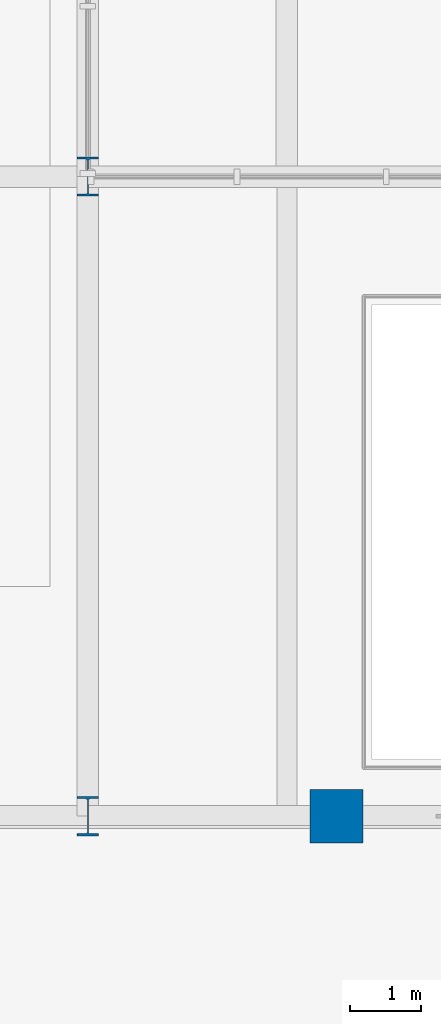
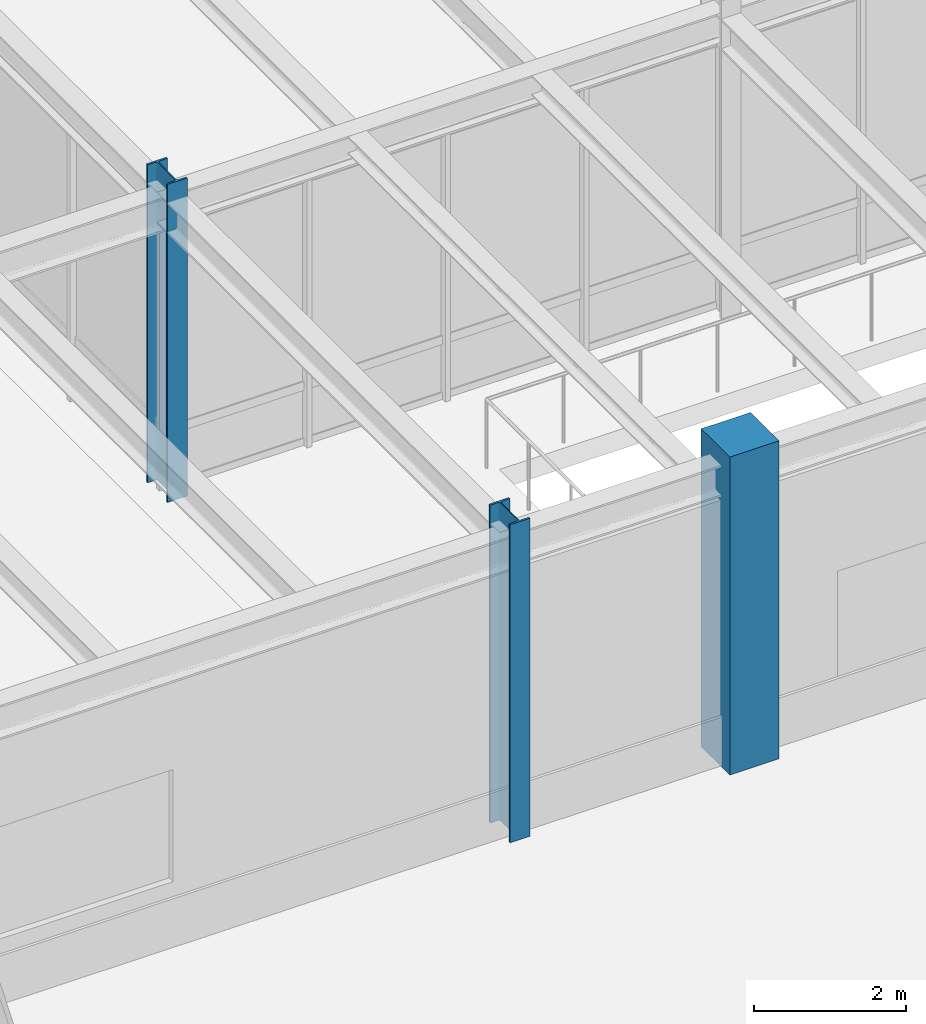
# One storey, part 5 of 64: 3 columns.
"""IFC4 building model written with IfcOpenShell, lengths in metres."""

import ifcopenshell
import ifcopenshell.guid

model = None  # the IFC model being written
_history = None  # IfcOwnerHistory: only IFC2X3 demands one
_inside = {}  # id of a spatial element -> (the spatial element, [elements in it])
_under = {}  # id of a project, library or spatial element -> (it, [spatial elements below it])
_declared = {}  # id of a project -> (the project, [libraries it declares])
_typed = {}  # id of a type object -> (the type object, [elements of that type])
_made_of = {}  # id of a material, layer set ... -> (it, [elements and type objects made of it])


def new_model(schema):
    """Start an empty IFC model of exactly this schema.

    Asked for "IFC4X3", IfcOpenShell would pick the latest addendum, in which some entities
    have other attributes; the version numbers below select the first issue.
    IFC2X3 requires an IfcOwnerHistory on every rooted entity: one is made here for all.
    """
    global model, _history
    if schema == "IFC4X3":
        model = ifcopenshell.file(schema_version=(4, 3, 0, 0))
    else:
        model = ifcopenshell.file(schema=schema)
    _inside.clear()
    _under.clear()
    _declared.clear()
    _typed.clear()
    _made_of.clear()
    _history = None
    if model.schema == "IFC2X3":
        org = make("IfcOrganization", Name="unknown")
        user = make(
            "IfcPersonAndOrganization",
            ThePerson=make("IfcPerson", FamilyName="unknown"),
            TheOrganization=org,
        )
        app = make(
            "IfcApplication",
            ApplicationDeveloper=org,
            Version="unknown",
            ApplicationFullName="unknown",
            ApplicationIdentifier="unknown",
        )
        _history = make(
            "IfcOwnerHistory",
            OwningUser=user,
            OwningApplication=app,
            ChangeAction="ADDED",
            CreationDate=0,
        )
    return model


def make(cls, **values):
    """One entity of the class cls with the attributes given. An attribute that is None is left unset."""
    return model.create_entity(
        cls, **{name: value for name, value in values.items() if value is not None}
    )


def rooted(cls, **values):
    """An entity with a GlobalId (a new one), such as an element, a storey or a relation."""
    return make(cls, GlobalId=ifcopenshell.guid.new(), OwnerHistory=_history, **values)


def si_unit(unit_type, name, prefix=None):
    """IfcSIUnit, for example si_unit("LENGTHUNIT", "METRE", prefix="MILLI")."""
    return make("IfcSIUnit", UnitType=unit_type, Prefix=prefix, Name=name)


def assignment(units):
    """IfcUnitAssignment: the units of a project."""
    return None if units is None else make("IfcUnitAssignment", Units=units)


def point(xyz):
    """IfcCartesianPoint."""
    return None if xyz is None else make("IfcCartesianPoint", Coordinates=xyz)


def direction(xyz):
    """IfcDirection."""
    return None if xyz is None else make("IfcDirection", DirectionRatios=xyz)


def frame(location, z_axis=None, x_axis=None):
    """IfcAxis2Placement3D, a coordinate frame: its origin and axes. An axis left out is left unset."""
    return make(
        "IfcAxis2Placement3D",
        Location=point(location),
        Axis=direction(z_axis),
        RefDirection=direction(x_axis),
    )


def frame_2d(location, x_axis=None):
    """IfcAxis2Placement2D, a coordinate frame in the plane: its origin and x axis."""
    return make(
        "IfcAxis2Placement2D", Location=point(location), RefDirection=direction(x_axis)
    )


def origin():
    """The frame at (0, 0, 0) with its axes left unset."""
    return frame((0.0, 0.0, 0.0))


def origin_2d():
    """The frame at (0, 0) in the plane with its x axis left unset."""
    return frame_2d((0.0, 0.0))


def place(relative_to, where):
    """IfcLocalPlacement: puts the frame where relative to a parent placement (None: the world)."""
    return make(
        "IfcLocalPlacement", PlacementRelTo=relative_to, RelativePlacement=where
    )


def context(
    kind, dimensions, precision=None, world=None, true_north=None, identifier=None
):
    """IfcGeometricRepresentationContext, for example the 3D "Model" context."""
    return make(
        "IfcGeometricRepresentationContext",
        ContextIdentifier=identifier,
        ContextType=kind,
        CoordinateSpaceDimension=dimensions,
        Precision=precision,
        WorldCoordinateSystem=world,
        TrueNorth=true_north,
    )


def subcontext(parent, identifier, kind, view, scale=None):
    """IfcGeometricRepresentationSubContext, for example "Body" below "Model"."""
    return make(
        "IfcGeometricRepresentationSubContext",
        ContextIdentifier=identifier,
        ContextType=kind,
        ParentContext=parent,
        TargetScale=scale,
        TargetView=view,
    )


def project(units=None, contexts=None):
    """IfcProject with its units and contexts."""
    return rooted(
        "IfcProject",
        Name="project",
        RepresentationContexts=contexts,
        UnitsInContext=assignment(units),
    )


def spatial(cls, under=None, at=None, **own):
    """A site, building, storey or space (cls), placed at a placement, below another one or the project."""
    s = rooted(cls, ObjectPlacement=at, **own)
    if under is not None:
        _under.setdefault(under.id(), (under, []))[1].append(s)
    return s


def profile(cls, at=None, kind="AREA", **sizes):
    """A parametric profile (cls). Its sizes go by their IFC names, for example OverallWidth=200.0."""
    return make(cls, ProfileType=kind, Position=at, **sizes)


def rectangle(**sizes):
    """IfcRectangleProfileDef."""
    return profile("IfcRectangleProfileDef", **sizes)


def i_section(**sizes):
    """IfcIShapeProfileDef."""
    return profile("IfcIShapeProfileDef", **sizes)


def extrude(swept, where, along, depth):
    """IfcExtrudedAreaSolid: the profile swept, set in the frame where, extruded along a direction by depth."""
    return make(
        "IfcExtrudedAreaSolid",
        SweptArea=swept,
        Position=where,
        ExtrudedDirection=direction(along),
        Depth=depth,
    )


def shape(context_of_items, identifier, shape_type, items):
    """IfcShapeRepresentation: the items that make up one representation, for example the "Body"."""
    return make(
        "IfcShapeRepresentation",
        ContextOfItems=context_of_items,
        RepresentationIdentifier=identifier,
        RepresentationType=shape_type,
        Items=items,
    )


def material(Name=None, Category=None):
    """IfcMaterial."""
    return make("IfcMaterial", Name=Name, Category=Category)


def material_profile(
    of_material, cross_section, Name=None, Category=None, Priority=None
):
    """IfcMaterialProfile: a cross section and its material."""
    return make(
        "IfcMaterialProfile",
        Name=Name,
        Material=of_material,
        Profile=cross_section,
        Priority=Priority,
        Category=Category,
    )


def profile_set(profiles, Name=None, composite=None):
    """IfcMaterialProfileSet."""
    return make(
        "IfcMaterialProfileSet",
        Name=Name,
        MaterialProfiles=profiles,
        CompositeProfile=composite,
    )


def made_of(thing, what):
    """Note that an element or type object is made of a material, layer set ...; save() writes the relation."""
    if what is not None:
        _made_of.setdefault(what.id(), (what, []))[1].append(thing)
    return thing


def type_object(cls, material=None, **own):
    """A type object (cls), such as IfcWallType, which elements share."""
    return made_of(rooted(cls, **own), material)


def element(
    cls,
    number,
    at=None,
    inside=None,
    cuts=None,
    type_object=None,
    material=None,
    context=None,
    identifier="Body",
    shape_type=None,
    held_by="IfcProductDefinitionShape",
    body=None,
    shapes=None,
    **own,
):
    """One element of the class cls, such as IfcWall. Its Tag is "e" and its number.

    at: its placement. inside: the storey or other place that contains it. cuts: it is an
    opening in that element (IfcRelVoidsElement). A single representation is given by context,
    identifier, shape_type and body (its items); several are given by shapes. held_by: the class
    of the entity that holds the representations. save() writes the other relations.
    """
    e = rooted(cls, Tag="e%d" % number, ObjectPlacement=at, **own)
    if body is not None:
        shapes = [shape(context, identifier, shape_type, body)]
    if shapes is not None:
        e.Representation = make(held_by, Representations=shapes)
    if inside is not None:
        _inside.setdefault(inside.id(), (inside, []))[1].append(e)
    if cuts is not None:
        rooted(
            "IfcRelVoidsElement", RelatingBuildingElement=cuts, RelatedOpeningElement=e
        )
    if type_object is not None:
        _typed.setdefault(type_object.id(), (type_object, []))[1].append(e)
    return made_of(e, material)


def aggregate(whole, parts):
    """IfcRelAggregates: a whole, such as a stair, and the parts it consists of."""
    return rooted("IfcRelAggregates", RelatingObject=whole, RelatedObjects=parts)


def save(model, path):
    """Write the relations noted so far, then the file.

    IfcRelAggregates (storeys below a building ...), IfcRelContainedInSpatialStructure (elements
    in a storey), IfcRelDefinesByType, IfcRelAssociatesMaterial and IfcRelDeclares: one each for
    every whole, place, type object, material and project.
    """
    for whole, parts in _under.values():
        aggregate(whole, parts)
    for where, things in _inside.values():
        rooted(
            "IfcRelContainedInSpatialStructure",
            RelatedElements=things,
            RelatingStructure=where,
        )
    for kind, things in _typed.values():
        rooted("IfcRelDefinesByType", RelatedObjects=things, RelatingType=kind)
    for what, things in _made_of.values():
        rooted("IfcRelAssociatesMaterial", RelatedObjects=things, RelatingMaterial=what)
    for by, libraries in _declared.values():
        rooted("IfcRelDeclares", RelatingContext=by, RelatedDefinitions=libraries)
    model.write(path)


model = new_model("IFC4")

# Units and contexts
model_context = context("Model", 3, precision=1e-05, world=origin(), true_north=direction((0.0, 1.0)))
body_context = subcontext(model_context, "Body", "Model", "MODEL_VIEW")
ifc_project = project(units=[si_unit("LENGTHUNIT", "METRE"), si_unit("AREAUNIT", "SQUARE_METRE"), si_unit("VOLUMEUNIT", "CUBIC_METRE"), si_unit("PLANEANGLEUNIT", "RADIAN"), si_unit("MASSUNIT", "GRAM", prefix="KILO")], contexts=[model_context])

# Site, building, storey
site_placement = place(None, origin())
site = spatial("IfcSite", under=ifc_project, at=site_placement, CompositionType="ELEMENT")
building_placement = place(site_placement, origin())
building = spatial("IfcBuilding", under=site, at=building_placement, Name="Montealbar Specialist Clinic", CompositionType="ELEMENT")
storey_placement = place(building_placement, origin())
storey = spatial("IfcBuildingStorey", under=building, at=storey_placement, Name="L00", CompositionType="ELEMENT", Elevation=0.0)

# Columns
ifc_material_1 = material(Name="Steel S355", Category="steel")
ifc_material_profile_1 = material_profile(ifc_material_1, i_section(OverallWidth=0.300048828125, OverallDepth=0.550048828125, WebThickness=0.014892578125, FlangeThickness=0.029052734375, FilletRadius=0.027099609375, at=origin_2d()), Name="HEB 550", Category="steel")
ifc_profile_set_1 = profile_set([ifc_material_profile_1], Name="Steel S355")
column_type_1 = type_object("IfcColumnType", Name="COL-S-L00-HVY-EXT", PredefinedType="COLUMN", material=ifc_profile_set_1)
for number, where, z_axis, x_axis, name in (
    (1, (120.0, 18.0, 0.0), (0.0, 0.0, 1.0), (1.0, 0.0, 0.0), "Column 16/C L00"),
    (2, (120.0, 27.0, 0.0), (0.0, 0.0, 1.0), (1.0, 0.0, 0.0), "Column 16/D L00"),
):
    element("IfcColumn", number, at=place(storey_placement, frame(where, z_axis=z_axis, x_axis=x_axis)), inside=storey, type_object=column_type_1, Name=name, PredefinedType="COLUMN", context=body_context, shape_type="SweptSolid", body=[
        extrude(i_section(OverallWidth=0.300048828125, OverallDepth=0.550048828125, WebThickness=0.014892578125, FlangeThickness=0.029052734375, FilletRadius=0.027099609375, at=origin_2d()), origin(), (0.0, 0.0, 1.0), 5.10009765625),
    ])
ifc_material_2 = material(Name="Guadarrama granite ashlar", Category="masonry")
ifc_material_profile_2 = material_profile(ifc_material_2, rectangle(XDim=0.75, YDim=0.75, at=origin_2d()), Name="GRANITE PILASTER 750x750", Category="masonry")
ifc_profile_set_2 = profile_set([ifc_material_profile_2], Name="Guadarrama granite ashlar")
column_type_2 = type_object("IfcColumnType", Name="PIL-PM-GIANT-EXT", PredefinedType="PILASTER", material=ifc_profile_set_2)
column_placement = place(storey_placement, frame((123.5, 18.0, 0.0), z_axis=(0.0, 0.0, 1.0), x_axis=(1.0, 0.0, 0.0)))
element("IfcColumn", 3, at=column_placement, inside=storey, type_object=column_type_2, Name="Column SP1/C L00", PredefinedType="PILASTER", context=body_context, shape_type="SweptSolid", body=[
    extrude(rectangle(XDim=0.75, YDim=0.75, at=origin_2d()), origin(), (0.0, 0.0, 1.0), 5.10009765625),
])

save(model, "model.ifc")
